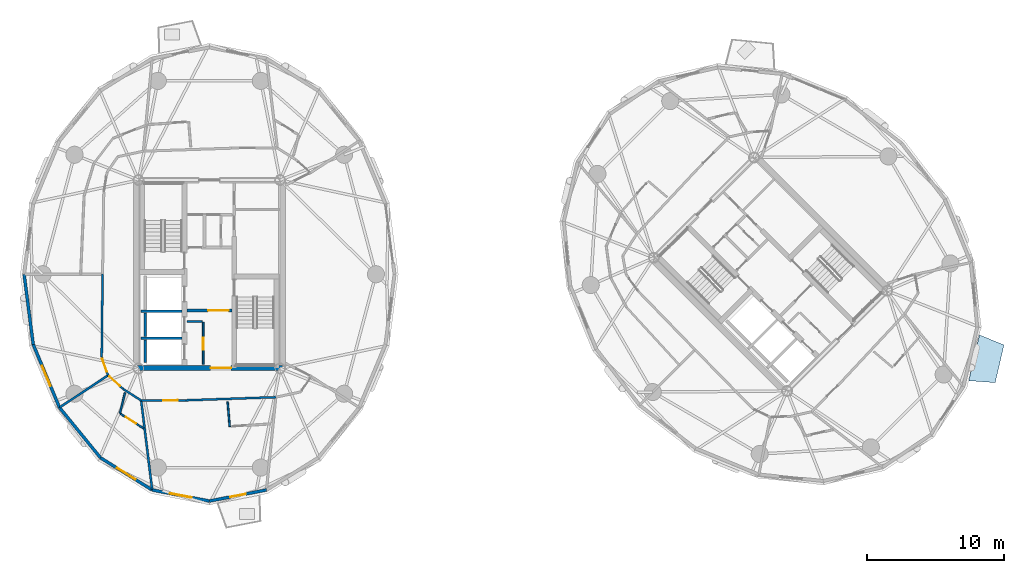
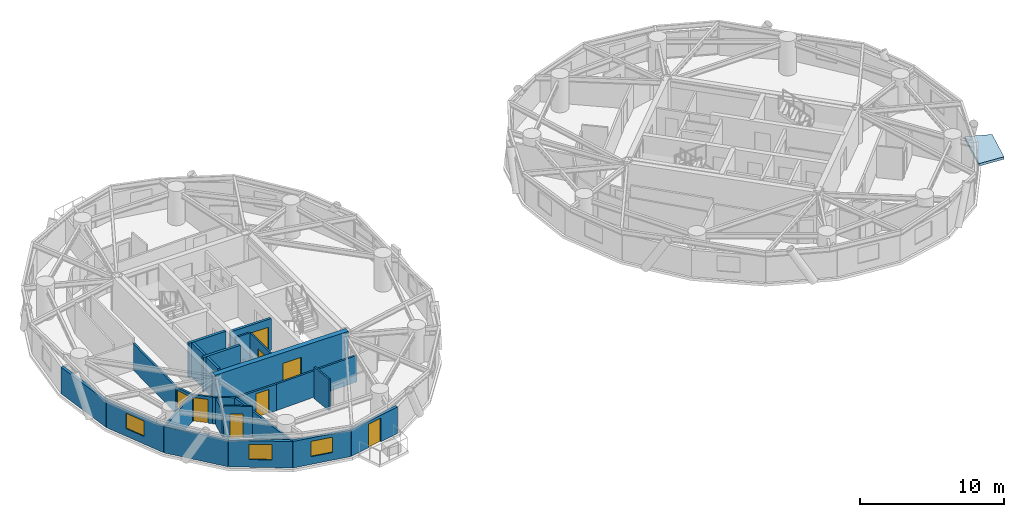
# One storey, part 7 of 16: 25 walls, 8 doors, 3 windows, 1 slab, 11 openings.
"""IFC4 building model written with IfcOpenShell, lengths in metres."""

import ifcopenshell
import ifcopenshell.guid

model = None  # the IFC model being written
_history = None  # IfcOwnerHistory: only IFC2X3 demands one
_inside = {}  # id of a spatial element -> (the spatial element, [elements in it])
_under = {}  # id of a project, library or spatial element -> (it, [spatial elements below it])
_declared = {}  # id of a project -> (the project, [libraries it declares])
_typed = {}  # id of a type object -> (the type object, [elements of that type])
_made_of = {}  # id of a material, layer set ... -> (it, [elements and type objects made of it])


def new_model(schema):
    """Start an empty IFC model of exactly this schema.

    Asked for "IFC4X3", IfcOpenShell would pick the latest addendum, in which some entities
    have other attributes; the version numbers below select the first issue.
    IFC2X3 requires an IfcOwnerHistory on every rooted entity: one is made here for all.
    """
    global model, _history
    if schema == "IFC4X3":
        model = ifcopenshell.file(schema_version=(4, 3, 0, 0))
    else:
        model = ifcopenshell.file(schema=schema)
    _inside.clear()
    _under.clear()
    _declared.clear()
    _typed.clear()
    _made_of.clear()
    _history = None
    if model.schema == "IFC2X3":
        org = make("IfcOrganization", Name="unknown")
        user = make(
            "IfcPersonAndOrganization",
            ThePerson=make("IfcPerson", FamilyName="unknown"),
            TheOrganization=org,
        )
        app = make(
            "IfcApplication",
            ApplicationDeveloper=org,
            Version="unknown",
            ApplicationFullName="unknown",
            ApplicationIdentifier="unknown",
        )
        _history = make(
            "IfcOwnerHistory",
            OwningUser=user,
            OwningApplication=app,
            ChangeAction="ADDED",
            CreationDate=0,
        )
    return model


def make(cls, **values):
    """One entity of the class cls with the attributes given. An attribute that is None is left unset."""
    return model.create_entity(
        cls, **{name: value for name, value in values.items() if value is not None}
    )


def rooted(cls, **values):
    """An entity with a GlobalId (a new one), such as an element, a storey or a relation."""
    return make(cls, GlobalId=ifcopenshell.guid.new(), OwnerHistory=_history, **values)


def si_unit(unit_type, name, prefix=None):
    """IfcSIUnit, for example si_unit("LENGTHUNIT", "METRE", prefix="MILLI")."""
    return make("IfcSIUnit", UnitType=unit_type, Prefix=prefix, Name=name)


def assignment(units):
    """IfcUnitAssignment: the units of a project."""
    return None if units is None else make("IfcUnitAssignment", Units=units)


def point(xyz):
    """IfcCartesianPoint."""
    return None if xyz is None else make("IfcCartesianPoint", Coordinates=xyz)


def direction(xyz):
    """IfcDirection."""
    return None if xyz is None else make("IfcDirection", DirectionRatios=xyz)


def frame(location, z_axis=None, x_axis=None):
    """IfcAxis2Placement3D, a coordinate frame: its origin and axes. An axis left out is left unset."""
    return make(
        "IfcAxis2Placement3D",
        Location=point(location),
        Axis=direction(z_axis),
        RefDirection=direction(x_axis),
    )


def frame_2d(location, x_axis=None):
    """IfcAxis2Placement2D, a coordinate frame in the plane: its origin and x axis."""
    return make(
        "IfcAxis2Placement2D", Location=point(location), RefDirection=direction(x_axis)
    )


def origin():
    """The frame at (0, 0, 0) with its axes left unset."""
    return frame((0.0, 0.0, 0.0))


def place(relative_to, where):
    """IfcLocalPlacement: puts the frame where relative to a parent placement (None: the world)."""
    return make(
        "IfcLocalPlacement", PlacementRelTo=relative_to, RelativePlacement=where
    )


def context(
    kind, dimensions, precision=None, world=None, true_north=None, identifier=None
):
    """IfcGeometricRepresentationContext, for example the 3D "Model" context."""
    return make(
        "IfcGeometricRepresentationContext",
        ContextIdentifier=identifier,
        ContextType=kind,
        CoordinateSpaceDimension=dimensions,
        Precision=precision,
        WorldCoordinateSystem=world,
        TrueNorth=true_north,
    )


def subcontext(parent, identifier, kind, view, scale=None):
    """IfcGeometricRepresentationSubContext, for example "Body" below "Model"."""
    return make(
        "IfcGeometricRepresentationSubContext",
        ContextIdentifier=identifier,
        ContextType=kind,
        ParentContext=parent,
        TargetScale=scale,
        TargetView=view,
    )


def project(units=None, contexts=None):
    """IfcProject with its units and contexts."""
    return rooted(
        "IfcProject",
        Name="project",
        RepresentationContexts=contexts,
        UnitsInContext=assignment(units),
    )


def spatial(cls, under=None, at=None, **own):
    """A site, building, storey or space (cls), placed at a placement, below another one or the project."""
    s = rooted(cls, ObjectPlacement=at, **own)
    if under is not None:
        _under.setdefault(under.id(), (under, []))[1].append(s)
    return s


def polyline(points):
    """IfcPolyline through the points."""
    return make("IfcPolyline", Points=[point(p) for p in points])


def profile(cls, at=None, kind="AREA", **sizes):
    """A parametric profile (cls). Its sizes go by their IFC names, for example OverallWidth=200.0."""
    return make(cls, ProfileType=kind, Position=at, **sizes)


def rectangle(**sizes):
    """IfcRectangleProfileDef."""
    return profile("IfcRectangleProfileDef", **sizes)


def outline(outer, holes=None, kind="AREA"):
    """IfcArbitraryClosedProfileDef: a profile drawn as a closed curve; with holes, ...WithVoids."""
    if holes is None:
        return make("IfcArbitraryClosedProfileDef", ProfileType=kind, OuterCurve=outer)
    return make(
        "IfcArbitraryProfileDefWithVoids",
        ProfileType=kind,
        OuterCurve=outer,
        InnerCurves=holes,
    )


def extrude(swept, where, along, depth):
    """IfcExtrudedAreaSolid: the profile swept, set in the frame where, extruded along a direction by depth."""
    return make(
        "IfcExtrudedAreaSolid",
        SweptArea=swept,
        Position=where,
        ExtrudedDirection=direction(along),
        Depth=depth,
    )


def shape(context_of_items, identifier, shape_type, items):
    """IfcShapeRepresentation: the items that make up one representation, for example the "Body"."""
    return make(
        "IfcShapeRepresentation",
        ContextOfItems=context_of_items,
        RepresentationIdentifier=identifier,
        RepresentationType=shape_type,
        Items=items,
    )


def source(mapping_origin, context_of_items, identifier, shape_type, items):
    """IfcRepresentationMap: a shape defined once, which mapped items show again and again."""
    return make(
        "IfcRepresentationMap",
        MappingOrigin=mapping_origin,
        MappedRepresentation=shape(context_of_items, identifier, shape_type, items),
    )


def transform(
    local_origin,
    x_axis=None,
    y_axis=None,
    z_axis=None,
    scale=None,
    scale2=None,
    scale3=None,
    uniform=True,
):
    """IfcCartesianTransformationOperator3D, or its non-uniform kind. x_axis, y_axis, z_axis: its Axis1, 2, 3."""
    if uniform:
        return make(
            "IfcCartesianTransformationOperator3D",
            Axis1=direction(x_axis),
            Axis2=direction(y_axis),
            LocalOrigin=point(local_origin),
            Scale=scale,
            Axis3=direction(z_axis),
        )
    return make(
        "IfcCartesianTransformationOperator3DnonUniform",
        Axis1=direction(x_axis),
        Axis2=direction(y_axis),
        LocalOrigin=point(local_origin),
        Scale=scale,
        Axis3=direction(z_axis),
        Scale2=scale2,
        Scale3=scale3,
    )


def mapped(mapping_source, mapping_target):
    """IfcMappedItem: shows the shape of a source again, moved by a transform."""
    return make(
        "IfcMappedItem", MappingSource=mapping_source, MappingTarget=mapping_target
    )


def material(Name=None, Category=None):
    """IfcMaterial."""
    return make("IfcMaterial", Name=Name, Category=Category)


def layer(
    of_material, thickness, ventilated=None, Name=None, Category=None, Priority=None
):
    """IfcMaterialLayer: one layer of a wall or slab, of a material (None: an air gap)."""
    return make(
        "IfcMaterialLayer",
        Material=of_material,
        LayerThickness=thickness,
        IsVentilated=ventilated,
        Name=Name,
        Category=Category,
        Priority=Priority,
    )


def layer_set(layers, Name=None):
    """IfcMaterialLayerSet."""
    return make("IfcMaterialLayerSet", MaterialLayers=layers, LayerSetName=Name)


def made_of(thing, what):
    """Note that an element or type object is made of a material, layer set ...; save() writes the relation."""
    if what is not None:
        _made_of.setdefault(what.id(), (what, []))[1].append(thing)
    return thing


def type_object(cls, material=None, **own):
    """A type object (cls), such as IfcWallType, which elements share."""
    return made_of(rooted(cls, **own), material)


def element(
    cls,
    number,
    at=None,
    inside=None,
    cuts=None,
    type_object=None,
    material=None,
    context=None,
    identifier="Body",
    shape_type=None,
    held_by="IfcProductDefinitionShape",
    body=None,
    shapes=None,
    **own,
):
    """One element of the class cls, such as IfcWall. Its Tag is "e" and its number.

    at: its placement. inside: the storey or other place that contains it. cuts: it is an
    opening in that element (IfcRelVoidsElement). A single representation is given by context,
    identifier, shape_type and body (its items); several are given by shapes. held_by: the class
    of the entity that holds the representations. save() writes the other relations.
    """
    e = rooted(cls, Tag="e%d" % number, ObjectPlacement=at, **own)
    if body is not None:
        shapes = [shape(context, identifier, shape_type, body)]
    if shapes is not None:
        e.Representation = make(held_by, Representations=shapes)
    if inside is not None:
        _inside.setdefault(inside.id(), (inside, []))[1].append(e)
    if cuts is not None:
        rooted(
            "IfcRelVoidsElement", RelatingBuildingElement=cuts, RelatedOpeningElement=e
        )
    if type_object is not None:
        _typed.setdefault(type_object.id(), (type_object, []))[1].append(e)
    return made_of(e, material)


def fill(opening, filler):
    """IfcRelFillsElement: the door or window that sits in an opening."""
    return rooted(
        "IfcRelFillsElement",
        RelatingOpeningElement=opening,
        RelatedBuildingElement=filler,
    )


def aggregate(whole, parts):
    """IfcRelAggregates: a whole, such as a stair, and the parts it consists of."""
    return rooted("IfcRelAggregates", RelatingObject=whole, RelatedObjects=parts)


def save(model, path):
    """Write the relations noted so far, then the file.

    IfcRelAggregates (storeys below a building ...), IfcRelContainedInSpatialStructure (elements
    in a storey), IfcRelDefinesByType, IfcRelAssociatesMaterial and IfcRelDeclares: one each for
    every whole, place, type object, material and project.
    """
    for whole, parts in _under.values():
        aggregate(whole, parts)
    for where, things in _inside.values():
        rooted(
            "IfcRelContainedInSpatialStructure",
            RelatedElements=things,
            RelatingStructure=where,
        )
    for kind, things in _typed.values():
        rooted("IfcRelDefinesByType", RelatedObjects=things, RelatingType=kind)
    for what, things in _made_of.values():
        rooted("IfcRelAssociatesMaterial", RelatedObjects=things, RelatingMaterial=what)
    for by, libraries in _declared.values():
        rooted("IfcRelDeclares", RelatingContext=by, RelatedDefinitions=libraries)
    model.write(path)


model = new_model("IFC4")

# Units and contexts
model_context = context("Model", 3, precision=1e-05, world=origin(), true_north=direction((0.0, 1.0)))
body_context = subcontext(model_context, "Body", "Model", "MODEL_VIEW")
ifc_project = project(units=[si_unit("LENGTHUNIT", "METRE"), si_unit("AREAUNIT", "SQUARE_METRE"), si_unit("VOLUMEUNIT", "CUBIC_METRE"), si_unit("PLANEANGLEUNIT", "RADIAN"), si_unit("MASSUNIT", "GRAM", prefix="KILO")], contexts=[model_context])

# Site, building, storey
site_placement = place(None, origin())
site = spatial("IfcSite", under=ifc_project, at=site_placement, CompositionType="ELEMENT")
building_placement = place(site_placement, origin())
building = spatial("IfcBuilding", under=site, at=building_placement, Name="Cununo Teusaquillo Station Towers", CompositionType="ELEMENT")
storey_placement = place(building_placement, frame((0.0, 0.0, 180.699951171875)))
storey = spatial("IfcBuildingStorey", under=building, at=storey_placement, Name="L57", CompositionType="ELEMENT", Elevation=180.699951171875)

# Slab
ifc_material_1 = material(Name="Concrete C50/60", Category="concrete")
ifc_layer_1 = layer(ifc_material_1, 0.2099609375)
ifc_layer_set_1 = layer_set([ifc_layer_1], Name="Concrete C50/60")
slab_type = type_object("IfcSlabType", Name="SLB-BAL-210", PredefinedType="FLOOR", material=ifc_layer_set_1)
slab_placement = place(storey_placement, frame((0.0, 0.0, -0.2099609375)))
element("IfcSlab", 1, at=slab_placement, inside=storey, type_object=slab_type, Name="L57 Tower B Tree Balcony Slab 2", PredefinedType="FLOOR", context=body_context, shape_type="SweptSolid", body=[
    extrude(outline(polyline([(71.979248046875, 16.720703125), (72.75927734375, 20.064208984375), (74.55615234375, 19.3369140625), (73.912353515625, 16.57763671875), (71.979248046875, 16.720703125)])), origin(), (0.0, 0.0, 1.0), 0.2099609375),
])

# Walls
ifc_material_2 = material(Name="Concrete C50/60", Category="concrete")
ifc_layer_2 = layer(ifc_material_2, 0.199951171875)
ifc_layer_set_2 = layer_set([ifc_layer_2], Name="Concrete C50/60")
wall_type_1 = type_object("IfcWallType", Name="WL-CORE-200", PredefinedType="SHEAR", material=ifc_layer_set_2)
for number, where, z_axis, x_axis, name in (
    (2, (11.52001953125, 21.800048828125, 0.0), (0.0, 0.0, 1.0), (1.0, 0.0, 0.0), "L57 Tower A Firefighting Lift Shaft South Shear Wall"),
    (3, (11.52001953125, 19.824951171875, 0.0), (0.0, 0.0, 1.0), (1.0, 0.0, 0.0), "L57 Tower A High-Rise Lift Hoistway Divider Shear Wall"),
):
    element("IfcWall", number, at=place(storey_placement, frame(where, z_axis=z_axis, x_axis=x_axis)), inside=storey, type_object=wall_type_1, Name=name, PredefinedType="SHEAR", context=body_context, shape_type="SweptSolid", body=[
        extrude(rectangle(XDim=2.969970703125, YDim=0.199951171875, at=frame_2d((1.48486328125, 0.0))), origin(), (0.0, 0.0, 1.0), 2.91015625),
    ])
wall_1_placement = place(storey_placement, frame((11.820068359375, 19.945068359375, 0.0), z_axis=(0.0, 0.0, 1.0), x_axis=(0.0, 1.0, 0.0)))
element("IfcWall", 4, at=wall_1_placement, inside=storey, type_object=wall_type_1, Name="L57 Tower A High-Rise Lift 2 Shaft Rear Shear Wall", PredefinedType="SHEAR", context=body_context, shape_type="SweptSolid", body=[
    extrude(rectangle(XDim=1.73486328125, YDim=0.199951171875, at=frame_2d((0.867431640625, 0.0))), origin(), (0.0, 0.0, 1.0), 2.91015625),
])
wall_2_placement = place(storey_placement, frame((11.820068359375, 18.070068359375, 0.0), z_axis=(0.0, 0.0, 1.0), x_axis=(0.0, 1.0, 0.0)))
element("IfcWall", 5, at=wall_2_placement, inside=storey, type_object=wall_type_1, Name="L57 Tower A High-Rise Lift 1 Shaft Rear Shear Wall", PredefinedType="SHEAR", context=body_context, shape_type="SweptSolid", body=[
    extrude(rectangle(XDim=1.635009765625, YDim=0.199951171875, at=frame_2d((0.8173828125, 0.0))), origin(), (0.0, 0.0, 1.0), 2.91015625),
])

# Wall, opening, door
ifc_material_3 = material(Name="Concrete C50/60", Category="concrete")
ifc_layer_3 = layer(ifc_material_3, 0.39990234375)
ifc_layer_set_3 = layer_set([ifc_layer_3], Name="Concrete C50/60")
wall_type_2 = type_object("IfcWallType", Name="WL-CORE-400", PredefinedType="SHEAR", material=ifc_layer_set_3)
wall_3_placement = place(storey_placement, frame((11.14990234375, 17.64990234375, 0.0), z_axis=(0.0, 0.0, 1.0), x_axis=(1.0, 0.0, 0.0)))
wall_3 = element("IfcWall", 6, at=wall_3_placement, inside=storey, type_object=wall_type_2, Name="L57 Tower A Core Shear Wall S", PredefinedType="SHEAR", context=body_context, shape_type="SweptSolid", body=[
    extrude(rectangle(XDim=10.7001953125, YDim=0.39990234375, at=frame_2d((5.35009765625, 0.0))), origin(), (0.0, 0.0, 1.0), 2.91015625),
])
shared_shape_1 = source(origin(), body_context, "Body", "SweptSolid", [
    extrude(rectangle(XDim=1.5, YDim=2.02001953125, at=frame_2d((0.75, 1.010009765625))), frame((0.0, 0.2099609375, 0.0), z_axis=(0.0, -1.0, 0.0), x_axis=(1.0, 0.0, 0.0)), (0.0, 0.0, 1.0), 0.419921875),
])
opening_1_placement = place(wall_3_placement, frame((5.449951171875, 0.0, 0.0)))
opening_1 = element("IfcOpeningElement", 7, at=opening_1_placement, cuts=wall_3, Name="Opening D-LB1", PredefinedType="OPENING", context=body_context, shape_type="MappedRepresentation", body=[
    mapped(shared_shape_1, transform((0.0, 0.0, 0.0), x_axis=(1.0, 0.0, 0.0), y_axis=(0.0, 1.0, 0.0), z_axis=(0.0, 0.0, 1.0), scale=1.0)),
])
ifc_material_4 = material(Name="Galvanised fire-rated hollow steel door assembly", Category="steel")
door_type_1 = type_object("IfcDoorType", Name="DR-LOBBY-1500", OperationType="DOUBLE_DOOR_SINGLE_SWING", PredefinedType="DOOR", material=ifc_material_4)
shared_shape_2 = source(origin(), body_context, "Body", "SweptSolid", [
    extrude(rectangle(XDim=1.5, YDim=2.02001953125, at=frame_2d((0.75, 1.010009765625))), frame((0.0, 0.02490234375, 0.0), z_axis=(0.0, -1.0, 0.0), x_axis=(1.0, 0.0, 0.0)), (0.0, 0.0, 1.0), 0.050048828125),
])
door_1_placement = place(opening_1_placement, origin())
door_1 = element("IfcDoor", 8, at=door_1_placement, inside=storey, type_object=door_type_1, Name="L57 Tower A South Core Lift Lobby Door", OperationType="DOUBLE_DOOR_SINGLE_SWING", OverallHeight=2.02001953125, OverallWidth=1.5, PredefinedType="DOOR", context=body_context, shape_type="MappedRepresentation", body=[
    mapped(shared_shape_2, transform((0.0, 0.0, 0.0), x_axis=(1.0, 0.0, 0.0), y_axis=(0.0, 1.0, 0.0), z_axis=(0.0, 0.0, 1.0), scale=1.0)),
])
fill(opening_1, door_1)

# Wall
ifc_material_5 = material(Name="Precast concrete C40/50", Category="concrete")
ifc_layer_4 = layer(ifc_material_5, 0.219970703125)
ifc_layer_set_4 = layer_set([ifc_layer_4], Name="Precast concrete C40/50")
wall_type_3 = type_object("IfcWallType", Name="WL-EXT-220", PredefinedType="SOLIDWALL", material=ifc_layer_set_4)
wall_4_placement = place(storey_placement, frame((3.63134765625, 19.379638671875, 0.0), z_axis=(0.0, 0.0, 1.0), x_axis=(-0.128287912609, 0.991736966881, 0.0)))
element("IfcWall", 9, at=wall_4_placement, inside=storey, type_object=wall_type_3, Name="L57 Tower A Exterior Facade Wall C10", PredefinedType="SOLIDWALL", context=body_context, shape_type="SweptSolid", body=[
    extrude(rectangle(XDim=5.1630859375, YDim=0.219970703125, at=frame_2d((2.58154296875, 0.0))), origin(), (0.0, 0.0, 1.0), 2.2451171875),
])

# Wall, opening, window
wall_5_placement = place(storey_placement, frame((5.55322265625, 14.760498046875, 0.0), z_axis=(0.0, 0.0, 1.0), x_axis=(-0.384144094086, 0.923273152961, 0.0)))
wall_5 = element("IfcWall", 10, at=wall_5_placement, inside=storey, type_object=wall_type_3, Name="L57 Tower A Exterior Facade Wall C11", PredefinedType="SOLIDWALL", context=body_context, shape_type="SweptSolid", body=[
    extrude(rectangle(XDim=5.0029296875, YDim=0.219970703125, at=frame_2d((2.50146484375, 0.0))), origin(), (0.0, 0.0, 1.0), 2.2451171875),
])
shared_shape_3 = source(origin(), body_context, "Body", "SweptSolid", [
    extrude(rectangle(XDim=1.60009765625, YDim=1.300048828125, at=frame_2d((0.800048828125, 0.64990234375))), frame((0.0, 0.119873046875, 0.0), z_axis=(0.0, -1.0, 0.0), x_axis=(1.0, 0.0, 0.0)), (0.0, 0.0, 1.0), 0.239990234375),
])
opening_2_placement = place(wall_5_placement, frame((1.701904296875, 0.0, 0.64990234375)))
opening_2 = element("IfcOpeningElement", 11, at=opening_2_placement, cuts=wall_5, Name="Opening WN-03", PredefinedType="OPENING", context=body_context, shape_type="MappedRepresentation", body=[
    mapped(shared_shape_3, transform((0.0, 0.0, 0.0), x_axis=(1.0, 0.0, 0.0), y_axis=(0.0, 1.0, 0.0), z_axis=(0.0, 0.0, 1.0), scale=1.0)),
])
ifc_material_6 = material(Name="Ceramic-fritted dark low-E double glazing", Category="glass")
window_type = type_object("IfcWindowType", Name="WIN-CORN-1600", PartitioningType="SINGLE_PANEL", PredefinedType="WINDOW", material=ifc_material_6)
shared_shape_4 = source(origin(), body_context, "Body", "SweptSolid", [
    extrude(rectangle(XDim=1.60009765625, YDim=1.300048828125, at=frame_2d((0.800048828125, 0.64990234375))), frame((0.0, 0.030029296875, 0.0), z_axis=(0.0, -1.0, 0.0), x_axis=(1.0, 0.0, 0.0)), (0.0, 0.0, 1.0), 0.06005859375),
])
window_1_placement = place(opening_2_placement, origin())
window_1 = element("IfcWindow", 12, at=window_1_placement, inside=storey, type_object=window_type, Name="L57 Tower A Facade Window C11", OverallHeight=1.300048828125, OverallWidth=1.60009765625, PartitioningType="SINGLE_PANEL", PredefinedType="WINDOW", context=body_context, shape_type="MappedRepresentation", body=[
    mapped(shared_shape_4, transform((0.0, 0.0, 0.0), x_axis=(1.0, 0.0, 0.0), y_axis=(0.0, 1.0, 0.0), z_axis=(0.0, 0.0, 1.0), scale=1.0)),
])
fill(opening_2, window_1)

# Wall
wall_6_placement = place(storey_placement, frame((8.546630859375, 11.094482421875, 0.0), z_axis=(0.0, 0.0, 1.0), x_axis=(-0.632470615287, 0.774584353572, 0.0)))
element("IfcWall", 13, at=wall_6_placement, inside=storey, type_object=wall_type_3, Name="L57 Tower A Exterior Facade Wall C12", PredefinedType="SOLIDWALL", context=body_context, shape_type="SweptSolid", body=[
    extrude(rectangle(XDim=4.73291015625, YDim=0.219970703125, at=frame_2d((2.366455078125, 0.0))), origin(), (0.0, 0.0, 1.0), 2.2451171875),
])

# Wall, opening, window
wall_7_placement = place(storey_placement, frame((12.318603515625, 8.740966796875, 0.0), z_axis=(0.0, 0.0, 1.0), x_axis=(-0.848399108042, 0.529357113368, 0.0)))
wall_7 = element("IfcWall", 14, at=wall_7_placement, inside=storey, type_object=wall_type_3, Name="L57 Tower A Exterior Facade Wall C13", PredefinedType="SOLIDWALL", context=body_context, shape_type="SweptSolid", body=[
    extrude(rectangle(XDim=4.446044921875, YDim=0.219970703125, at=frame_2d((2.22314453125, 0.0))), origin(), (0.0, 0.0, 1.0), 2.2451171875),
])
opening_3_placement = place(wall_7_placement, frame((1.423095703125, 0.0, 0.64990234375)))
opening_3 = element("IfcOpeningElement", 15, at=opening_3_placement, cuts=wall_7, Name="Opening WN-03", PredefinedType="OPENING", context=body_context, shape_type="MappedRepresentation", body=[
    mapped(shared_shape_3, transform((0.0, 0.0, 0.0), x_axis=(1.0, 0.0, 0.0), y_axis=(0.0, 1.0, 0.0), z_axis=(0.0, 0.0, 1.0), scale=1.0)),
])
window_2_placement = place(opening_3_placement, origin())
window_2 = element("IfcWindow", 16, at=window_2_placement, inside=storey, type_object=window_type, Name="L57 Tower A Facade Window C13", OverallHeight=1.300048828125, OverallWidth=1.60009765625, PartitioningType="SINGLE_PANEL", PredefinedType="WINDOW", context=body_context, shape_type="MappedRepresentation", body=[
    mapped(shared_shape_4, transform((0.0, 0.0, 0.0), x_axis=(1.0, 0.0, 0.0), y_axis=(0.0, 1.0, 0.0), z_axis=(0.0, 0.0, 1.0), scale=1.0)),
])
fill(opening_3, window_2)

wall_8_placement = place(storey_placement, frame((16.5, 7.929931640625, 0.0), z_axis=(0.0, 0.0, 1.0), x_axis=(-0.981703883443, 0.190413983815, 0.0)))
wall_8 = element("IfcWall", 17, at=wall_8_placement, inside=storey, type_object=wall_type_3, Name="L57 Tower A Exterior Facade Wall C14", PredefinedType="SOLIDWALL", context=body_context, shape_type="SweptSolid", body=[
    extrude(rectangle(XDim=4.25927734375, YDim=0.219970703125, at=frame_2d((2.129638671875, 0.0))), origin(), (0.0, 0.0, 1.0), 2.2451171875),
])
opening_4_placement = place(wall_8_placement, frame((1.330078125, 0.0, 0.64990234375)))
opening_4 = element("IfcOpeningElement", 18, at=opening_4_placement, cuts=wall_8, Name="Opening WN-03", PredefinedType="OPENING", context=body_context, shape_type="MappedRepresentation", body=[
    mapped(shared_shape_3, transform((0.0, 0.0, 0.0), x_axis=(1.0, 0.0, 0.0), y_axis=(0.0, 1.0, 0.0), z_axis=(0.0, 0.0, 1.0), scale=1.0)),
])
window_3_placement = place(opening_4_placement, origin())
window_3 = element("IfcWindow", 19, at=window_3_placement, inside=storey, type_object=window_type, Name="L57 Tower A Facade Window C14", OverallHeight=1.300048828125, OverallWidth=1.60009765625, PartitioningType="SINGLE_PANEL", PredefinedType="WINDOW", context=body_context, shape_type="MappedRepresentation", body=[
    mapped(shared_shape_4, transform((0.0, 0.0, 0.0), x_axis=(1.0, 0.0, 0.0), y_axis=(0.0, 1.0, 0.0), z_axis=(0.0, 0.0, 1.0), scale=1.0)),
])
fill(opening_4, window_3)

# Wall, opening, door
wall_9_placement = place(storey_placement, frame((20.681396484375, 8.740966796875, 0.0), z_axis=(0.0, 0.0, 1.0), x_axis=(-0.981703883443, -0.190413983815, 0.0)))
wall_9 = element("IfcWall", 20, at=wall_9_placement, inside=storey, type_object=wall_type_3, Name="L57 Tower A Exterior Facade Wall C15", PredefinedType="SOLIDWALL", context=body_context, shape_type="SweptSolid", body=[
    extrude(rectangle(XDim=4.25927734375, YDim=0.219970703125, at=frame_2d((2.129638671875, 0.0))), origin(), (0.0, 0.0, 1.0), 2.2451171875),
])
shared_shape_5 = source(origin(), body_context, "Body", "SweptSolid", [
    extrude(rectangle(XDim=1.14990234375, YDim=2.0048828125, at=frame_2d((0.574951171875, 1.00244140625))), frame((0.0, 0.119873046875, 0.0), z_axis=(0.0, -1.0, 0.0), x_axis=(1.0, 0.0, 0.0)), (0.0, 0.0, 1.0), 0.239990234375),
])
opening_5_placement = place(wall_9_placement, frame((1.554931640625, 0.0, 0.0)))
opening_5 = element("IfcOpeningElement", 21, at=opening_5_placement, cuts=wall_9, Name="Opening ED-03", PredefinedType="OPENING", context=body_context, shape_type="MappedRepresentation", body=[
    mapped(shared_shape_5, transform((0.0, 0.0, 0.0), x_axis=(1.0, 0.0, 0.0), y_axis=(0.0, 1.0, 0.0), z_axis=(0.0, 0.0, 1.0), scale=1.0)),
])
ifc_material_7 = material(Name="Anodised dark bronze aluminium EN AW-6063-T6", Category="aluminium")
door_type_2 = type_object("IfcDoorType", Name="DR-EXT-BAL", OperationType="NOTDEFINED", PredefinedType="DOOR", material=ifc_material_7)
shared_shape_6 = source(origin(), body_context, "Body", "SweptSolid", [
    extrude(rectangle(XDim=1.14990234375, YDim=2.0048828125, at=frame_2d((0.574951171875, 1.00244140625))), frame((0.0, 0.02490234375, 0.0), z_axis=(0.0, -1.0, 0.0), x_axis=(1.0, 0.0, 0.0)), (0.0, 0.0, 1.0), 0.050048828125),
])
door_2_placement = place(opening_5_placement, origin())
door_2 = element("IfcDoor", 22, at=door_2_placement, inside=storey, type_object=door_type_2, Name="L57 Tower A Tree Balcony Door C15", OperationType="SINGLE_SWING_LEFT", OverallHeight=2.0048828125, OverallWidth=1.14990234375, PredefinedType="DOOR", context=body_context, shape_type="MappedRepresentation", body=[
    mapped(shared_shape_6, transform((0.0, 0.0, 0.0), x_axis=(1.0, 0.0, 0.0), y_axis=(0.0, 1.0, 0.0), z_axis=(0.0, 0.0, 1.0), scale=1.0)),
])
fill(opening_5, door_2)

ifc_material_8 = material(Name="Fire-rated gypsum plasterboard partition assembly", Category="gypsum")
ifc_layer_5 = layer(ifc_material_8, 0.125)
ifc_layer_set_5 = layer_set([ifc_layer_5], Name="Fire-rated gypsum plasterboard partition assembly")
wall_type_4 = type_object("IfcWallType", Name="WL-PART-125", PredefinedType="PARTITIONING", material=ifc_layer_set_5)
wall_10_placement = place(storey_placement, frame((16.050048828125, 17.919921875, 0.0), z_axis=(0.0, 0.0, 1.0), x_axis=(0.0, 1.0, 0.0)))
wall_10 = element("IfcWall", 23, at=wall_10_placement, inside=storey, type_object=wall_type_4, Name="L57 Tower A South-West Tall Store East Wall", PredefinedType="PARTITIONING", context=body_context, shape_type="SweptSolid", body=[
    extrude(rectangle(XDim=3.080078125, YDim=0.125, at=frame_2d((1.5400390625, 0.0))), origin(), (0.0, 0.0, 1.0), 2.675048828125),
])
shared_shape_7 = source(origin(), body_context, "Body", "SweptSolid", [
    extrude(rectangle(XDim=0.89990234375, YDim=2.0048828125, at=frame_2d((0.449951171875, 1.00244140625))), frame((0.0, 0.072509765625, 0.0), z_axis=(0.0, -1.0, 0.0), x_axis=(1.0, 0.0, 0.0)), (0.0, 0.0, 1.0), 0.14501953125),
])
opening_6_placement = place(wall_10_placement, frame((1.050048828125, 0.0, 0.0)))
opening_6 = element("IfcOpeningElement", 24, at=opening_6_placement, cuts=wall_10, Name="Opening D-SR1", PredefinedType="OPENING", context=body_context, shape_type="MappedRepresentation", body=[
    mapped(shared_shape_7, transform((0.0, 0.0, 0.0), x_axis=(1.0, 0.0, 0.0), y_axis=(0.0, 1.0, 0.0), z_axis=(0.0, 0.0, 1.0), scale=1.0)),
])
ifc_material_9 = material(Name="Galvanised fire-rated hollow steel door assembly", Category="steel")
door_type_3 = type_object("IfcDoorType", Name="DR-STORE-900", OperationType="NOTDEFINED", PredefinedType="DOOR", material=ifc_material_9)
shared_shape_8 = source(origin(), body_context, "Body", "SweptSolid", [
    extrude(rectangle(XDim=0.89990234375, YDim=2.0048828125, at=frame_2d((0.449951171875, 1.00244140625))), frame((0.0, 0.02490234375, 0.0), z_axis=(0.0, -1.0, 0.0), x_axis=(1.0, 0.0, 0.0)), (0.0, 0.0, 1.0), 0.050048828125),
])
door_3_placement = place(opening_6_placement, origin())
door_3 = element("IfcDoor", 25, at=door_3_placement, inside=storey, type_object=door_type_3, Name="L57 Tower A South Cleaners Store Door", OperationType="SINGLE_SWING_RIGHT", OverallHeight=2.0048828125, OverallWidth=0.89990234375, PredefinedType="DOOR", context=body_context, shape_type="MappedRepresentation", body=[
    mapped(shared_shape_8, transform((0.0, 0.0, 0.0), x_axis=(1.0, 0.0, 0.0), y_axis=(0.0, 1.0, 0.0), z_axis=(0.0, 0.0, 1.0), scale=1.0)),
])
fill(opening_6, door_3)

# Walls
wall_11_placement = place(storey_placement, frame((14.8798828125, 21.050048828125, 0.0), z_axis=(0.0, 0.0, 1.0), x_axis=(1.0, 0.0, 0.0)))
element("IfcWall", 26, at=wall_11_placement, inside=storey, type_object=wall_type_4, Name="L57 Tower A South-West Tall Store North Wall", PredefinedType="PARTITIONING", context=body_context, shape_type="SweptSolid", body=[
    extrude(rectangle(XDim=1.10009765625, YDim=0.125, at=frame_2d((0.550048828125, 0.0))), origin(), (0.0, 0.0, 1.0), 2.675048828125),
])
wall_12_placement = place(storey_placement, frame((10.343017578125, 15.8466796875, 0.0), z_axis=(0.0, 0.0, 1.0), x_axis=(-0.240988864291, -0.970527880737, 0.0)))
element("IfcWall", 27, at=wall_12_placement, inside=storey, type_object=wall_type_4, Name="L57 Tower A S05 En-suite Side Wall", PredefinedType="PARTITIONING", context=body_context, shape_type="SweptSolid", body=[
    extrude(rectangle(XDim=1.56005859375, YDim=0.125, at=frame_2d((0.780029296875, 0.0))), origin(), (0.0, 0.0, 1.0), 2.2451171875),
])

# Wall, opening, door
wall_13_placement = place(storey_placement, frame((10.019775390625, 14.29931640625, 0.0), z_axis=(0.0, 0.0, 1.0), x_axis=(0.846015763056, -0.533157883427, 0.0)))
wall_13 = element("IfcWall", 28, at=wall_13_placement, inside=storey, type_object=wall_type_4, Name="L57 Tower A S05 En-suite Back Wall", PredefinedType="PARTITIONING", context=body_context, shape_type="SweptSolid", body=[
    extrude(rectangle(XDim=1.991455078125, YDim=0.125, at=frame_2d((0.99560546875, 0.0))), origin(), (0.0, 0.0, 1.0), 2.675048828125),
])
opening_7_placement = place(wall_13_placement, frame((0.439208984375, 0.0, 0.0)))
opening_7 = element("IfcOpeningElement", 29, at=opening_7_placement, cuts=wall_13, Name="Opening D-IN1", PredefinedType="OPENING", context=body_context, shape_type="MappedRepresentation", body=[
    mapped(shared_shape_7, transform((0.0, 0.0, 0.0), x_axis=(1.0, 0.0, 0.0), y_axis=(0.0, 1.0, 0.0), z_axis=(0.0, 0.0, 1.0), scale=1.0)),
])
ifc_material_10 = material(Name="Acoustic solid-core hardwood leaf assembly", Category="wood")
door_type_4 = type_object("IfcDoorType", Name="DR-INT-900", OperationType="NOTDEFINED", PredefinedType="DOOR", material=ifc_material_10)
door_4_placement = place(opening_7_placement, origin())
door_4 = element("IfcDoor", 30, at=door_4_placement, inside=storey, type_object=door_type_4, Name="L57 Tower A S05 En-suite Bathroom Door", OperationType="SINGLE_SWING_LEFT", OverallHeight=2.0048828125, OverallWidth=0.89990234375, PredefinedType="DOOR", context=body_context, shape_type="MappedRepresentation", body=[
    mapped(shared_shape_8, transform((0.0, 0.0, 0.0), x_axis=(1.0, 0.0, 0.0), y_axis=(0.0, 1.0, 0.0), z_axis=(0.0, 0.0, 1.0), scale=1.0)),
])
fill(opening_7, door_4)

# Walls
wall_14_placement = place(storey_placement, frame((17.835693359375, 15.182373046875, 0.0), z_axis=(0.0, 0.0, 1.0), x_axis=(0.084856554172, -0.996393178025, 0.0)))
element("IfcWall", 31, at=wall_14_placement, inside=storey, type_object=wall_type_4, Name="L57 Tower A S06 En-suite Side Wall", PredefinedType="PARTITIONING", context=body_context, shape_type="SweptSolid", body=[
    extrude(rectangle(XDim=1.818359375, YDim=0.125, at=frame_2d((0.9091796875, 0.0))), origin(), (0.0, 0.0, 1.0), 2.675048828125),
])
ifc_material_11 = material(Name="Fire-rated gypsum plasterboard partition assembly", Category="gypsum")
ifc_layer_6 = layer(ifc_material_11, 0.14990234375)
ifc_layer_set_6 = layer_set([ifc_layer_6], Name="Fire-rated gypsum plasterboard partition assembly")
wall_type_5 = type_object("IfcWallType", Name="WL-PART-150", PredefinedType="PARTITIONING", material=ifc_layer_set_6)
wall_15_placement = place(storey_placement, frame((8.699951171875, 24.5, 0.0), z_axis=(0.0, 0.0, 1.0), x_axis=(-0.010507512335, -0.999944794568, 0.0)))
element("IfcWall", 32, at=wall_15_placement, inside=storey, type_object=wall_type_5, Name="L57 Tower A Corridor Ring Wall C10", PredefinedType="PARTITIONING", context=body_context, shape_type="SweptSolid", body=[
    extrude(rectangle(XDim=6.064208984375, YDim=0.14990234375, at=frame_2d((3.0322265625, 0.0))), origin(), (0.0, 0.0, 1.0), 2.2451171875),
])

# Wall, opening, door
wall_16_placement = place(storey_placement, frame((8.63623046875, 18.43603515625, 0.0), z_axis=(0.0, 0.0, 1.0), x_axis=(0.333211866524, -0.942851977782, 0.0)))
wall_16 = element("IfcWall", 33, at=wall_16_placement, inside=storey, type_object=wall_type_5, Name="L57 Tower A Corridor Ring Wall C11", PredefinedType="PARTITIONING", context=body_context, shape_type="SweptSolid", body=[
    extrude(rectangle(XDim=1.401611328125, YDim=0.14990234375, at=frame_2d((0.70068359375, 0.0))), origin(), (0.0, 0.0, 1.0), 2.2451171875),
])
shared_shape_9 = source(origin(), body_context, "Body", "SweptSolid", [
    extrude(rectangle(XDim=1.0, YDim=2.014892578125, at=frame_2d((0.5, 1.00732421875))), frame((0.0, 0.0849609375, 0.0), z_axis=(0.0, -1.0, 0.0), x_axis=(1.0, 0.0, 0.0)), (0.0, 0.0, 1.0), 0.169921875),
])
opening_8_placement = place(wall_16_placement, frame((0.1201171875, 0.0, 0.0)))
opening_8 = element("IfcOpeningElement", 34, at=opening_8_placement, cuts=wall_16, Name="Opening D-AC1", PredefinedType="OPENING", context=body_context, shape_type="MappedRepresentation", body=[
    mapped(shared_shape_9, transform((0.0, 0.0, 0.0), x_axis=(1.0, 0.0, 0.0), y_axis=(0.0, 1.0, 0.0), z_axis=(0.0, 0.0, 1.0), scale=1.0)),
])
ifc_material_12 = material(Name="Acoustic solid-core hardwood leaf assembly", Category="wood")
door_type_5 = type_object("IfcDoorType", Name="DR-ACC-1000", OperationType="NOTDEFINED", PredefinedType="DOOR", material=ifc_material_12)
shared_shape_10 = source(origin(), body_context, "Body", "SweptSolid", [
    extrude(rectangle(XDim=1.0, YDim=2.014892578125, at=frame_2d((0.5, 1.00732421875))), frame((0.0, 0.02490234375, 0.0), z_axis=(0.0, -1.0, 0.0), x_axis=(1.0, 0.0, 0.0)), (0.0, 0.0, 1.0), 0.050048828125),
])
door_5_placement = place(opening_8_placement, origin())
door_5 = element("IfcDoor", 35, at=door_5_placement, inside=storey, type_object=door_type_5, Name="L57 Tower A Public Accessible Restroom WC Entrance Door", OperationType="SINGLE_SWING_LEFT", OverallHeight=2.014892578125, OverallWidth=1.0, PredefinedType="DOOR", context=body_context, shape_type="MappedRepresentation", body=[
    mapped(shared_shape_10, transform((0.0, 0.0, 0.0), x_axis=(1.0, 0.0, 0.0), y_axis=(0.0, 1.0, 0.0), z_axis=(0.0, 0.0, 1.0), scale=1.0)),
])
fill(opening_8, door_5)

wall_17_placement = place(storey_placement, frame((9.103271484375, 17.114501953125, 0.0), z_axis=(0.0, 0.0, 1.0), x_axis=(0.740186897911, -0.672401186912, 0.0)))
wall_17 = element("IfcWall", 36, at=wall_17_placement, inside=storey, type_object=wall_type_5, Name="L57 Tower A Corridor Ring Wall C12", PredefinedType="PARTITIONING", context=body_context, shape_type="SweptSolid", body=[
    extrude(rectangle(XDim=1.4765625, YDim=0.14990234375, at=frame_2d((0.73828125, 0.0))), origin(), (0.0, 0.0, 1.0), 2.2451171875),
])
shared_shape_11 = source(origin(), body_context, "Body", "SweptSolid", [
    extrude(rectangle(XDim=1.050048828125, YDim=2.014892578125, at=frame_2d((0.52490234375, 1.00732421875))), frame((0.0, 0.0849609375, 0.0), z_axis=(0.0, -1.0, 0.0), x_axis=(1.0, 0.0, 0.0)), (0.0, 0.0, 1.0), 0.169921875),
])
opening_9_placement = place(wall_17_placement, frame((0.1201171875, 0.0, 0.0)))
opening_9 = element("IfcOpeningElement", 37, at=opening_9_placement, cuts=wall_17, Name="Opening D-SU1", PredefinedType="OPENING", context=body_context, shape_type="MappedRepresentation", body=[
    mapped(shared_shape_11, transform((0.0, 0.0, 0.0), x_axis=(1.0, 0.0, 0.0), y_axis=(0.0, 1.0, 0.0), z_axis=(0.0, 0.0, 1.0), scale=1.0)),
])
ifc_material_13 = material(Name="Acoustic solid-core hardwood leaf assembly", Category="wood")
door_type_6 = type_object("IfcDoorType", Name="DR-SUITE-1050", OperationType="NOTDEFINED", PredefinedType="DOOR", material=ifc_material_13)
shared_shape_12 = source(origin(), body_context, "Body", "SweptSolid", [
    extrude(rectangle(XDim=1.050048828125, YDim=2.014892578125, at=frame_2d((0.52490234375, 1.00732421875))), frame((0.0, 0.02490234375, 0.0), z_axis=(0.0, -1.0, 0.0), x_axis=(1.0, 0.0, 0.0)), (0.0, 0.0, 1.0), 0.050048828125),
])
door_6_placement = place(opening_9_placement, origin())
door_6 = element("IfcDoor", 38, at=door_6_placement, inside=storey, type_object=door_type_6, Name="L57 Tower A Emerald Horizon Hotel Suite Entrance Door", OperationType="SINGLE_SWING_RIGHT", OverallHeight=2.014892578125, OverallWidth=1.050048828125, PredefinedType="DOOR", context=body_context, shape_type="MappedRepresentation", body=[
    mapped(shared_shape_12, transform((0.0, 0.0, 0.0), x_axis=(1.0, 0.0, 0.0), y_axis=(0.0, 1.0, 0.0), z_axis=(0.0, 0.0, 1.0), scale=1.0)),
])
fill(opening_9, door_6)

# Wall
wall_18_placement = place(storey_placement, frame((10.1962890625, 16.12158203125, 0.0), z_axis=(0.0, 0.0, 1.0), x_axis=(0.843021142441, -0.537880426673, 0.0)))
element("IfcWall", 39, at=wall_18_placement, inside=storey, type_object=wall_type_5, Name="L57 Tower A Corridor Ring Wall C13", PredefinedType="PARTITIONING", context=body_context, shape_type="SweptSolid", body=[
    extrude(rectangle(XDim=1.5712890625, YDim=0.14990234375, at=frame_2d((0.78564453125, 0.0))), origin(), (0.0, 0.0, 1.0), 2.2451171875),
])

# Wall, opening, door
wall_19_placement = place(storey_placement, frame((11.52099609375, 15.2763671875, 0.0), z_axis=(0.0, 0.0, 1.0), x_axis=(0.999990688463, 0.004315436007, 0.0)))
wall_19 = element("IfcWall", 40, at=wall_19_placement, inside=storey, type_object=wall_type_5, Name="L57 Tower A Corridor Ring Wall C14", PredefinedType="PARTITIONING", context=body_context, shape_type="SweptSolid", body=[
    extrude(rectangle(XDim=3.28125, YDim=0.14990234375, at=frame_2d((1.640625, 0.0))), origin(), (0.0, 0.0, 1.0), 2.2451171875),
])
opening_10_placement = place(wall_19_placement, frame((1.61328125, 0.0, 0.0)))
opening_10 = element("IfcOpeningElement", 41, at=opening_10_placement, cuts=wall_19, Name="Opening D-SU1", PredefinedType="OPENING", context=body_context, shape_type="MappedRepresentation", body=[
    mapped(shared_shape_11, transform((0.0, 0.0, 0.0), x_axis=(1.0, 0.0, 0.0), y_axis=(0.0, 1.0, 0.0), z_axis=(0.0, 0.0, 1.0), scale=1.0)),
])
door_7_placement = place(opening_10_placement, origin())
door_7 = element("IfcDoor", 42, at=door_7_placement, inside=storey, type_object=door_type_6, Name="L57 Tower A Paramo View Hotel Suite Entrance Door", OperationType="SINGLE_SWING_RIGHT", OverallHeight=2.014892578125, OverallWidth=1.050048828125, PredefinedType="DOOR", context=body_context, shape_type="MappedRepresentation", body=[
    mapped(shared_shape_12, transform((0.0, 0.0, 0.0), x_axis=(1.0, 0.0, 0.0), y_axis=(0.0, 1.0, 0.0), z_axis=(0.0, 0.0, 1.0), scale=1.0)),
])
fill(opening_10, door_7)

# Walls
wall_20_placement = place(storey_placement, frame((14.80224609375, 15.29052734375, 0.0), z_axis=(0.0, 0.0, 1.0), x_axis=(0.999405778293, 0.034468686011, 0.0)))
element("IfcWall", 43, at=wall_20_placement, inside=storey, type_object=wall_type_5, Name="L57 Tower A Corridor Ring Wall C15", PredefinedType="PARTITIONING", context=body_context, shape_type="SweptSolid", body=[
    extrude(rectangle(XDim=6.558837890625, YDim=0.14990234375, at=frame_2d((3.279296875, 0.0))), origin(), (0.0, 0.0, 1.0), 2.2451171875),
])
ifc_material_14 = material(Name="Fire-rated gypsum plasterboard partition assembly", Category="gypsum")
ifc_layer_7 = layer(ifc_material_14, 0.159912109375)
ifc_layer_set_7 = layer_set([ifc_layer_7], Name="Fire-rated gypsum plasterboard partition assembly")
wall_type_6 = type_object("IfcWallType", Name="WL-PART-160", PredefinedType="PARTITIONING", material=ifc_layer_set_7)
wall_21_placement = place(storey_placement, frame((9.103271484375, 17.114501953125, 0.0), z_axis=(0.0, 0.0, 1.0), x_axis=(-0.833535637115, -0.552465692745, 0.0)))
element("IfcWall", 44, at=wall_21_placement, inside=storey, type_object=wall_type_6, Name="L57 Tower A Radial Suite Partition R05", PredefinedType="PARTITIONING", context=body_context, shape_type="SweptSolid", body=[
    extrude(rectangle(XDim=4.23974609375, YDim=0.159912109375, at=frame_2d((2.119873046875, 0.0))), origin(), (0.0, 0.0, 1.0), 2.2451171875),
])
wall_22_placement = place(storey_placement, frame((11.52099609375, 15.2763671875, 0.0), z_axis=(0.0, 0.0, 1.0), x_axis=(0.122446537769, -0.992475110715, 0.0)))
element("IfcWall", 45, at=wall_22_placement, inside=storey, type_object=wall_type_6, Name="L57 Tower A Radial Suite Partition R06", PredefinedType="PARTITIONING", context=body_context, shape_type="SweptSolid", body=[
    extrude(rectangle(XDim=6.565673828125, YDim=0.159912109375, at=frame_2d((3.28271484375, 0.0))), origin(), (0.0, 0.0, 1.0), 2.2451171875),
])

# Wall, opening, door
ifc_material_15 = material(Name="Fire-rated gypsum plasterboard partition assembly", Category="gypsum")
ifc_layer_8 = layer(ifc_material_15, 0.199951171875)
ifc_layer_set_8 = layer_set([ifc_layer_8], Name="Fire-rated gypsum plasterboard partition assembly")
wall_type_7 = type_object("IfcWallType", Name="WL-PART-200", PredefinedType="PARTITIONING", material=ifc_layer_set_8)
wall_23_placement = place(storey_placement, frame((14.860107421875, 21.85009765625, 0.0), z_axis=(0.0, 0.0, 1.0), x_axis=(1.0, 0.0, 0.0)))
wall_23 = element("IfcWall", 46, at=wall_23_placement, inside=storey, type_object=wall_type_7, Name="L57 Tower A Firefighting Lift Lobby South Fire Wall", PredefinedType="PARTITIONING", context=body_context, shape_type="SweptSolid", body=[
    extrude(rectangle(XDim=3.27978515625, YDim=0.199951171875, at=frame_2d((1.639892578125, 0.0))), origin(), (0.0, 0.0, 1.0), 2.675048828125),
])
shared_shape_13 = source(origin(), body_context, "Body", "SweptSolid", [
    extrude(rectangle(XDim=1.5, YDim=2.02001953125, at=frame_2d((0.75, 1.010009765625))), frame((0.0, 0.10986328125, 0.0), z_axis=(0.0, -1.0, 0.0), x_axis=(1.0, 0.0, 0.0)), (0.0, 0.0, 1.0), 0.219970703125),
])
opening_11_placement = place(wall_23_placement, frame((1.550048828125, 0.0, 0.0)))
opening_11 = element("IfcOpeningElement", 47, at=opening_11_placement, cuts=wall_23, Name="Opening D-LB1", PredefinedType="OPENING", context=body_context, shape_type="MappedRepresentation", body=[
    mapped(shared_shape_13, transform((0.0, 0.0, 0.0), x_axis=(1.0, 0.0, 0.0), y_axis=(0.0, 1.0, 0.0), z_axis=(0.0, 0.0, 1.0), scale=1.0)),
])
door_8_placement = place(opening_11_placement, origin())
door_8 = element("IfcDoor", 48, at=door_8_placement, inside=storey, type_object=door_type_1, Name="L57 Tower A Firefighting Lift Lobby South Fire Door", OperationType="DOUBLE_DOOR_SINGLE_SWING", OverallHeight=2.02001953125, OverallWidth=1.5, PredefinedType="DOOR", context=body_context, shape_type="MappedRepresentation", body=[
    mapped(shared_shape_2, transform((0.0, 0.0, 0.0), x_axis=(1.0, 0.0, 0.0), y_axis=(0.0, 1.0, 0.0), z_axis=(0.0, 0.0, 1.0), scale=1.0)),
])
fill(opening_11, door_8)

save(model, "model.ifc")
